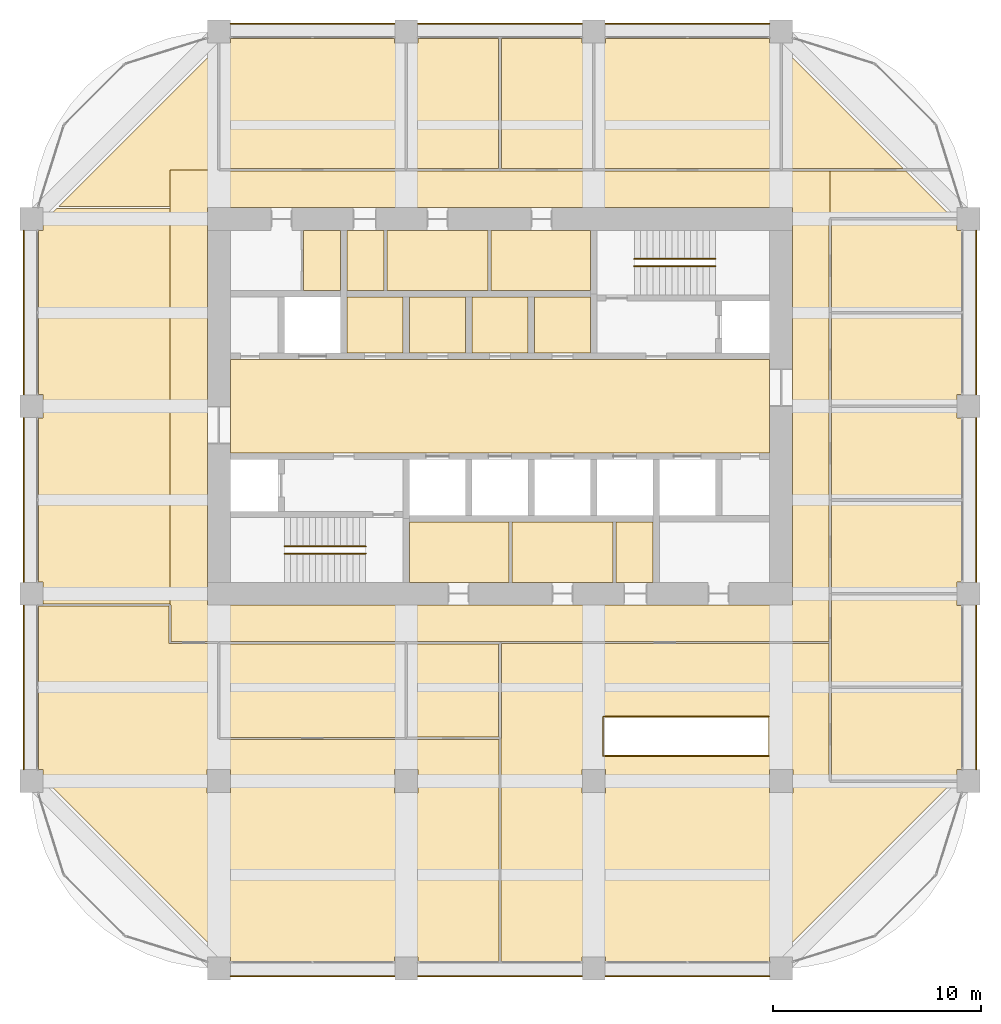
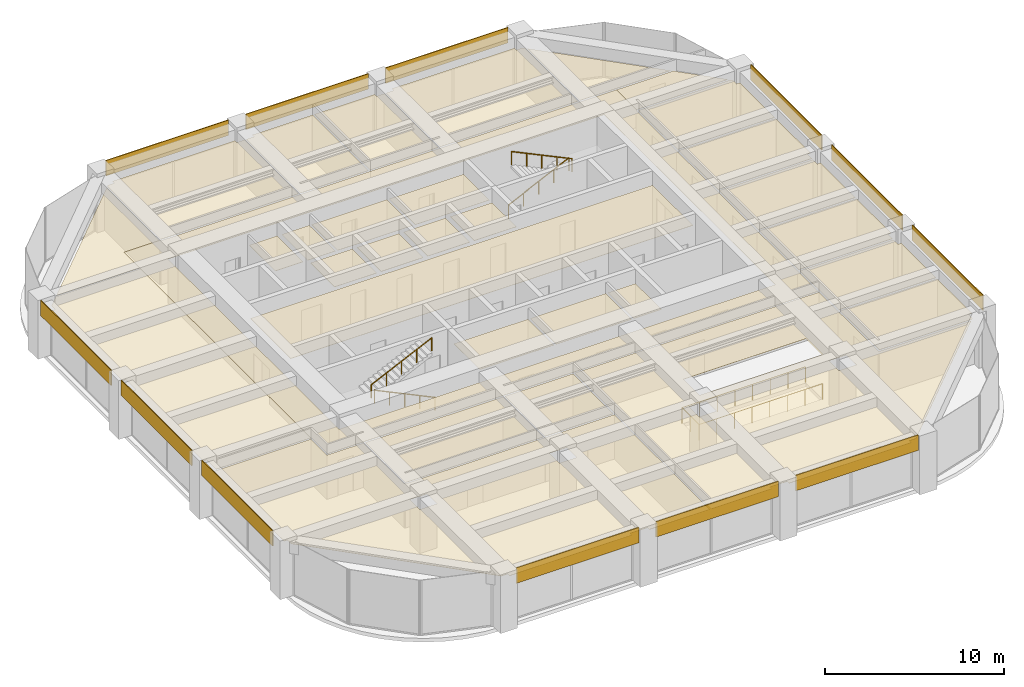
# One storey, part 44 of 44: 43 coverings, 5 railings.
"""IFC4 building model written with IfcOpenShell, lengths in metres."""

from ifc_helpers import new_model, si_unit, direction, frame, frame_2d, origin, origin_2d, place, context, subcontext, project, spatial, polyline, rectangle, circle, outline, extrude, material, layer, layer_set, type_object, element, save


model = new_model("IFC4")

# Units and contexts
model_context = context("Model", 3, precision=1e-05, world=origin(), true_north=direction((0.0, 1.0)))
body_context = subcontext(model_context, "Body", "Model", "MODEL_VIEW")
ifc_project = project(units=[si_unit("LENGTHUNIT", "METRE"), si_unit("AREAUNIT", "SQUARE_METRE"), si_unit("VOLUMEUNIT", "CUBIC_METRE"), si_unit("PLANEANGLEUNIT", "RADIAN"), si_unit("MASSUNIT", "GRAM", prefix="KILO")], contexts=[model_context])

# Site, building, storey
site_placement = place(None, origin())
site = spatial("IfcSite", under=ifc_project, at=site_placement, CompositionType="ELEMENT")
building_placement = place(site_placement, origin())
building = spatial("IfcBuilding", under=site, at=building_placement, Name="Zorevar Civic Tower", CompositionType="ELEMENT")
storey_placement = place(building_placement, frame((0.0, 0.0, 255.39990234375)))
storey = spatial("IfcBuildingStorey", under=building, at=storey_placement, Name="L62", CompositionType="ELEMENT", Elevation=255.39990234375)

# Railings
ifc_material_1 = material(Name="Laminated glass balustrade with black steel handrail", Category="steel")
railing_type_1 = type_object("IfcRailingType", Name="Balustrade BL1 1100", PredefinedType="BALUSTRADE", material=ifc_material_1)
railing_1_placement = place(storey_placement, frame((44.39990234375, 10.199951171875, 0.0)))
element("IfcRailing", 1, at=railing_1_placement, inside=storey, type_object=railing_type_1, Name="Balustrade BL1 stair void L62", PredefinedType="BALUSTRADE", context=body_context, shape_type="SweptSolid", body=[
    extrude(circle(Radius=0.02392578125, at=origin_2d()), frame((0.0, 0.0, 1.076171875), z_axis=(-1.0, 0.0, 0.0), x_axis=(0.0, -1.0, 0.0)), (0.0, 0.0, 1.0), 7.949951171875),
    extrude(circle(Radius=0.02392578125, at=origin_2d()), frame((-7.949951171875, 0.0, 1.076171875), z_axis=(0.0, 1.0, 0.0), x_axis=(-1.0, 0.0, 0.0)), (0.0, 0.0, 1.0), 1.900146484375),
    extrude(circle(Radius=0.02392578125, at=origin_2d()), frame((-7.949951171875, 1.900146484375, 1.076171875), z_axis=(1.0, 0.0, 0.0), x_axis=(0.0, 1.0, 0.0)), (0.0, 0.0, 1.0), 7.949951171875),
    extrude(circle(Radius=0.02099609375, at=origin_2d()), origin(), (0.0, 0.0, 1.0), 1.052001953125),
    extrude(circle(Radius=0.02099609375, at=origin_2d()), frame((-1.1357421875, 0.0, 0.0)), (0.0, 0.0, 1.0), 1.052001953125),
    extrude(circle(Radius=0.02099609375, at=origin_2d()), frame((-2.271484375, 0.0, 0.0)), (0.0, 0.0, 1.0), 1.052001953125),
    extrude(circle(Radius=0.02099609375, at=origin_2d()), frame((-3.4072265625, 0.0, 0.0)), (0.0, 0.0, 1.0), 1.052001953125),
    extrude(circle(Radius=0.02099609375, at=origin_2d()), frame((-4.542724609375, 0.0, 0.0)), (0.0, 0.0, 1.0), 1.052001953125),
    extrude(circle(Radius=0.02099609375, at=origin_2d()), frame((-5.678466796875, 0.0, 0.0)), (0.0, 0.0, 1.0), 1.052001953125),
    extrude(circle(Radius=0.02099609375, at=origin_2d()), frame((-6.814208984375, 0.0, 0.0)), (0.0, 0.0, 1.0), 1.052001953125),
    extrude(circle(Radius=0.02099609375, at=origin_2d()), frame((-7.949951171875, 0.0, 0.0)), (0.0, 0.0, 1.0), 1.052001953125),
    extrude(circle(Radius=0.02099609375, at=origin_2d()), frame((-7.949951171875, 0.9501953125, 0.0)), (0.0, 0.0, 1.0), 1.052001953125),
    extrude(circle(Radius=0.02099609375, at=origin_2d()), frame((-7.949951171875, 1.900146484375, 0.0)), (0.0, 0.0, 1.0), 1.052001953125),
    extrude(circle(Radius=0.02099609375, at=origin_2d()), frame((-6.814208984375, 1.900146484375, 0.0)), (0.0, 0.0, 1.0), 1.052001953125),
    extrude(circle(Radius=0.02099609375, at=origin_2d()), frame((-5.678466796875, 1.900146484375, 0.0)), (0.0, 0.0, 1.0), 1.052001953125),
    extrude(circle(Radius=0.02099609375, at=origin_2d()), frame((-4.542724609375, 1.900146484375, 0.0)), (0.0, 0.0, 1.0), 1.052001953125),
    extrude(circle(Radius=0.02099609375, at=origin_2d()), frame((-3.4072265625, 1.900146484375, 0.0)), (0.0, 0.0, 1.0), 1.052001953125),
    extrude(circle(Radius=0.02099609375, at=origin_2d()), frame((-2.271484375, 1.900146484375, 0.0)), (0.0, 0.0, 1.0), 1.052001953125),
    extrude(circle(Radius=0.02099609375, at=origin_2d()), frame((-1.1357421875, 1.900146484375, 0.0)), (0.0, 0.0, 1.0), 1.052001953125),
    extrude(circle(Radius=0.02099609375, at=origin_2d()), frame((0.0, 1.900146484375, 0.0)), (0.0, 0.0, 1.0), 1.052001953125),
])
ifc_material_2 = material(Name="Black steel handrail", Category="steel")
railing_type_2 = type_object("IfcRailingType", Name="Handrail HR1 900", PredefinedType="HANDRAIL", material=ifc_material_2)
railing_2_placement = place(storey_placement, frame((25.050048828125, 19.925048828125, 0.14306640625)))
element("IfcRailing", 2, at=railing_2_placement, inside=storey, type_object=railing_type_2, Name="Handrail HR1 ST1 L62", PredefinedType="HANDRAIL", context=body_context, shape_type="SweptSolid", body=[
    extrude(circle(Radius=0.02392578125, at=origin_2d()), frame((0.0, 0.0, 0.8759765625), z_axis=(-0.902885590262, 0.0, 0.429880926418), x_axis=(0.0, -1.0, 0.0)), (0.0, 0.0, 1.0), 4.319580078125),
    extrude(circle(Radius=0.02099609375, at=origin_2d()), origin(), (0.0, 0.0, 1.0), 0.851806640625),
    extrude(circle(Radius=0.02099609375, at=origin_2d()), frame((-0.97509765625, 0.0, 0.46435546875)), (0.0, 0.0, 1.0), 0.851806640625),
    extrude(circle(Radius=0.02099609375, at=origin_2d()), frame((-1.9501953125, 0.0, 0.928466796875)), (0.0, 0.0, 1.0), 0.851806640625),
    extrude(circle(Radius=0.02099609375, at=origin_2d()), frame((-2.925048828125, 0.0, 1.392578125)), (0.0, 0.0, 1.0), 0.851806640625),
    extrude(circle(Radius=0.02099609375, at=origin_2d()), frame((-3.900146484375, 0.0, 1.85693359375)), (0.0, 0.0, 1.0), 0.851806640625),
])
for number, where, name in (
    (3, (21.14990234375, 20.27490234375, 2.14306640625), "Handrail HR1 ST1 L62"),
    (4, (37.949951171875, 34.074951171875, 0.14306640625), "Handrail HR1 ST2 L62"),
):
    element("IfcRailing", number, at=place(storey_placement, frame(where)), inside=storey, type_object=railing_type_2, Name=name, PredefinedType="HANDRAIL", context=body_context, shape_type="SweptSolid", body=[
        extrude(circle(Radius=0.02392578125, at=origin_2d()), frame((0.0, 0.0, 0.8759765625), z_axis=(0.902885590262, 0.0, 0.429880926418), x_axis=(0.0, 1.0, 0.0)), (0.0, 0.0, 1.0), 4.319580078125),
        extrude(circle(Radius=0.02099609375, at=origin_2d()), origin(), (0.0, 0.0, 1.0), 0.851806640625),
        extrude(circle(Radius=0.02099609375, at=origin_2d()), frame((0.97509765625, 0.0, 0.46435546875)), (0.0, 0.0, 1.0), 0.851806640625),
        extrude(circle(Radius=0.02099609375, at=origin_2d()), frame((1.9501953125, 0.0, 0.928466796875)), (0.0, 0.0, 1.0), 0.851806640625),
        extrude(circle(Radius=0.02099609375, at=origin_2d()), frame((2.925048828125, 0.0, 1.392578125)), (0.0, 0.0, 1.0), 0.851806640625),
        extrude(circle(Radius=0.02099609375, at=origin_2d()), frame((3.900146484375, 0.0, 1.85693359375)), (0.0, 0.0, 1.0), 0.851806640625),
    ])
railing_3_placement = place(storey_placement, frame((41.85009765625, 33.72509765625, 2.14306640625)))
element("IfcRailing", 5, at=railing_3_placement, inside=storey, type_object=railing_type_2, Name="Handrail HR1 ST2 L62", PredefinedType="HANDRAIL", context=body_context, shape_type="SweptSolid", body=[
    extrude(circle(Radius=0.02392578125, at=origin_2d()), frame((0.0, 0.0, 0.8759765625), z_axis=(-0.902885590262, 0.0, 0.429880926418), x_axis=(0.0, -1.0, 0.0)), (0.0, 0.0, 1.0), 4.319580078125),
    extrude(circle(Radius=0.02099609375, at=origin_2d()), origin(), (0.0, 0.0, 1.0), 0.851806640625),
    extrude(circle(Radius=0.02099609375, at=origin_2d()), frame((-0.97509765625, 0.0, 0.46435546875)), (0.0, 0.0, 1.0), 0.851806640625),
    extrude(circle(Radius=0.02099609375, at=origin_2d()), frame((-1.9501953125, 0.0, 0.928466796875)), (0.0, 0.0, 1.0), 0.851806640625),
    extrude(circle(Radius=0.02099609375, at=origin_2d()), frame((-2.925048828125, 0.0, 1.392578125)), (0.0, 0.0, 1.0), 0.851806640625),
    extrude(circle(Radius=0.02099609375, at=origin_2d()), frame((-3.900146484375, 0.0, 1.85693359375)), (0.0, 0.0, 1.0), 0.851806640625),
])

# Coverings
ifc_material_3 = material(Name="Moisture-resistant gypsum board")
ifc_layer_1 = layer(ifc_material_3, 0.012451171875)
ifc_layer_set_1 = layer_set([ifc_layer_1], Name="Moisture-resistant ceiling SC3")
covering_type_1 = type_object("IfcCoveringType", Name="Moisture-resistant ceiling SC3", PredefinedType="CEILING", material=ifc_layer_set_1)
covering_1_placement = place(storey_placement, frame((0.0, 0.0, 3.0)))
element("IfcCovering", 6, at=covering_1_placement, inside=storey, type_object=covering_type_1, Name="Ceiling L62-05", PredefinedType="CEILING", context=body_context, shape_type="SweptSolid", body=[
    extrude(outline(polyline([(31.925048828125, 18.550048828125), (31.925048828125, 21.449951171875), (27.14990234375, 21.449951171875), (27.14990234375, 18.550048828125), (31.925048828125, 18.550048828125)])), origin(), (0.0, 0.0, 1.0), 0.0126953125),
])
covering_2_placement = place(storey_placement, frame((0.0, 0.0, 3.0)))
element("IfcCovering", 7, at=covering_2_placement, inside=storey, type_object=covering_type_1, Name="Ceiling L62-06", PredefinedType="CEILING", context=body_context, shape_type="SweptSolid", body=[
    extrude(outline(polyline([(36.925048828125, 18.550048828125), (36.925048828125, 21.449951171875), (32.074951171875, 21.449951171875), (32.074951171875, 18.550048828125), (36.925048828125, 18.550048828125)])), origin(), (0.0, 0.0, 1.0), 0.0126953125),
])
covering_3_placement = place(storey_placement, frame((0.0, 0.0, 3.0)))
element("IfcCovering", 8, at=covering_3_placement, inside=storey, type_object=covering_type_1, Name="Ceiling L62-07", PredefinedType="CEILING", context=body_context, shape_type="SweptSolid", body=[
    extrude(outline(polyline([(38.85009765625, 18.550048828125), (38.85009765625, 21.449951171875), (37.074951171875, 21.449951171875), (37.074951171875, 18.550048828125), (38.85009765625, 18.550048828125)])), origin(), (0.0, 0.0, 1.0), 0.0126953125),
])
covering_4_placement = place(storey_placement, frame((0.0, 0.0, 3.0)))
element("IfcCovering", 9, at=covering_4_placement, inside=storey, type_object=covering_type_1, Name="Ceiling L62-08", PredefinedType="CEILING", context=body_context, shape_type="SweptSolid", body=[
    extrude(outline(polyline([(35.85009765625, 32.550048828125), (35.85009765625, 35.449951171875), (31.074951171875, 35.449951171875), (31.074951171875, 32.550048828125), (35.85009765625, 32.550048828125)])), origin(), (0.0, 0.0, 1.0), 0.0126953125),
])
covering_5_placement = place(storey_placement, frame((0.0, 0.0, 3.0)))
element("IfcCovering", 10, at=covering_5_placement, inside=storey, type_object=covering_type_1, Name="Ceiling L62-09", PredefinedType="CEILING", context=body_context, shape_type="SweptSolid", body=[
    extrude(outline(polyline([(30.925048828125, 32.550048828125), (30.925048828125, 35.449951171875), (26.074951171875, 35.449951171875), (26.074951171875, 32.550048828125), (30.925048828125, 32.550048828125)])), origin(), (0.0, 0.0, 1.0), 0.0126953125),
])
covering_6_placement = place(storey_placement, frame((0.0, 0.0, 3.0)))
element("IfcCovering", 11, at=covering_6_placement, inside=storey, type_object=covering_type_1, Name="Ceiling L62-10", PredefinedType="CEILING", context=body_context, shape_type="SweptSolid", body=[
    extrude(outline(polyline([(25.925048828125, 32.550048828125), (25.925048828125, 35.449951171875), (24.14990234375, 35.449951171875), (24.14990234375, 32.550048828125), (25.925048828125, 32.550048828125)])), origin(), (0.0, 0.0, 1.0), 0.0126953125),
])
ifc_material_4 = material(Name="Black anodised aluminium spandrel panel", Category="aluminium")
ifc_layer_2 = layer(ifc_material_4, 0.050048828125)
ifc_layer_set_2 = layer_set([ifc_layer_2], Name="Spandrel cladding SP1")
covering_type_2 = type_object("IfcCoveringType", Name="Spandrel cladding SP1", PredefinedType="CLADDING", material=ifc_layer_set_2)
for number, where, z_axis, x_axis, name in (
    (12, (18.550048828125, -0.375, 2.9501953125), (0.0, 0.0, 1.0), (1.0, 0.0, 0.0), "Spandrel cladding L63"),
    (13, (27.550048828125, -0.375, 2.9501953125), (0.0, 0.0, 1.0), (1.0, 0.0, 0.0), "Spandrel cladding L63"),
    (14, (36.550048828125, -0.375, 2.9501953125), (0.0, 0.0, 1.0), (1.0, 0.0, 0.0), "Spandrel cladding L63"),
    (15, (18.550048828125, 45.375, 2.9501953125), (0.0, 0.0, 1.0), (1.0, 0.0, 0.0), "Spandrel cladding L63"),
    (16, (27.550048828125, 45.375, 2.9501953125), (0.0, 0.0, 1.0), (1.0, 0.0, 0.0), "Spandrel cladding L63"),
    (17, (36.550048828125, 45.375, 2.9501953125), (0.0, 0.0, 1.0), (1.0, 0.0, 0.0), "Spandrel cladding L63"),
    (18, (8.625, 9.550048828125, 2.9501953125), (0.0, 0.0, 1.0), (0.0, 1.0, 0.0), "Spandrel cladding L63"),
    (19, (8.625, 18.550048828125, 2.9501953125), (0.0, 0.0, 1.0), (0.0, 1.0, 0.0), "Spandrel cladding L63"),
    (20, (8.625, 27.550048828125, 2.9501953125), (0.0, 0.0, 1.0), (0.0, 1.0, 0.0), "Spandrel cladding L63"),
    (21, (54.375, 9.550048828125, 2.9501953125), (0.0, 0.0, 1.0), (0.0, 1.0, 0.0), "Spandrel cladding L63"),
    (22, (54.375, 18.550048828125, 2.9501953125), (0.0, 0.0, 1.0), (0.0, 1.0, 0.0), "Spandrel cladding L63"),
    (23, (54.375, 27.550048828125, 2.9501953125), (0.0, 0.0, 1.0), (0.0, 1.0, 0.0), "Spandrel cladding L63"),
):
    element("IfcCovering", number, at=place(storey_placement, frame(where, z_axis=z_axis, x_axis=x_axis)), inside=storey, type_object=covering_type_2, Name=name, PredefinedType="CLADDING", context=body_context, shape_type="SweptSolid", body=[
        extrude(rectangle(XDim=7.89990234375, YDim=0.050048828125, at=frame_2d((3.949951171875, 0.0))), origin(), (0.0, 0.0, 1.0), 1.0498046875),
    ])
ifc_material_5 = material(Name="Mineral fibre tiles on a concealed grid")
ifc_layer_3 = layer(ifc_material_5, 0.02001953125)
ifc_layer_set_3 = layer_set([ifc_layer_3], Name="Suspended ceiling SC1")
covering_type_3 = type_object("IfcCoveringType", Name="Suspended ceiling SC1", PredefinedType="CEILING", material=ifc_layer_set_3)
covering_7_placement = place(storey_placement, frame((0.0, 0.0, 3.0)))
element("IfcCovering", 24, at=covering_7_placement, inside=storey, type_object=covering_type_3, Name="Ceiling L62-12", PredefinedType="CEILING", context=body_context, shape_type="SweptSolid", body=[
    extrude(outline(polyline([(23.85009765625, 32.550048828125), (23.85009765625, 35.449951171875), (22.06005859375, 35.449951171875), (22.06005859375, 32.550048828125), (23.85009765625, 32.550048828125)])), origin(), (0.0, 0.0, 1.0), 0.02001953125),
])
covering_8_placement = place(storey_placement, frame((0.0, 0.0, 3.0)))
element("IfcCovering", 25, at=covering_8_placement, inside=storey, type_object=covering_type_3, Name="Ceiling L62-16", PredefinedType="CEILING", context=body_context, shape_type="SweptSolid", body=[
    extrude(outline(polyline([(44.449951171875, 24.75), (44.449951171875, 29.25), (18.550048828125, 29.25), (18.550048828125, 24.75), (44.449951171875, 24.75)])), origin(), (0.0, 0.0, 1.0), 0.02001953125),
])
covering_9_placement = place(storey_placement, frame((0.0, 0.0, 3.0)))
element("IfcCovering", 26, at=covering_9_placement, inside=storey, type_object=covering_type_3, Name="Ceiling L62-17", PredefinedType="CEILING", context=body_context, shape_type="SweptSolid", body=[
    extrude(outline(polyline([(35.85009765625, 29.550048828125), (35.85009765625, 32.25), (33.14990234375, 32.25), (33.14990234375, 29.550048828125), (35.85009765625, 29.550048828125)])), origin(), (0.0, 0.0, 1.0), 0.02001953125),
])
covering_10_placement = place(storey_placement, frame((0.0, 0.0, 3.0)))
element("IfcCovering", 27, at=covering_10_placement, inside=storey, type_object=covering_type_3, Name="Ceiling L62-18", PredefinedType="CEILING", context=body_context, shape_type="SweptSolid", body=[
    extrude(outline(polyline([(32.85009765625, 29.550048828125), (32.85009765625, 32.25), (30.14990234375, 32.25), (30.14990234375, 29.550048828125), (32.85009765625, 29.550048828125)])), origin(), (0.0, 0.0, 1.0), 0.02001953125),
])
covering_11_placement = place(storey_placement, frame((0.0, 0.0, 3.0)))
element("IfcCovering", 28, at=covering_11_placement, inside=storey, type_object=covering_type_3, Name="Ceiling L62-19", PredefinedType="CEILING", context=body_context, shape_type="SweptSolid", body=[
    extrude(outline(polyline([(29.85009765625, 29.550048828125), (29.85009765625, 32.25), (27.14990234375, 32.25), (27.14990234375, 29.550048828125), (29.85009765625, 29.550048828125)])), origin(), (0.0, 0.0, 1.0), 0.02001953125),
])
covering_12_placement = place(storey_placement, frame((0.0, 0.0, 3.0)))
element("IfcCovering", 29, at=covering_12_placement, inside=storey, type_object=covering_type_3, Name="Ceiling L62-20", PredefinedType="CEILING", context=body_context, shape_type="SweptSolid", body=[
    extrude(outline(polyline([(26.85009765625, 29.550048828125), (26.85009765625, 32.25), (24.14990234375, 32.25), (24.14990234375, 29.550048828125), (26.85009765625, 29.550048828125)])), origin(), (0.0, 0.0, 1.0), 0.02001953125),
])
covering_13_placement = place(storey_placement, frame((0.0, 0.0, 3.0)))
element("IfcCovering", 30, at=covering_13_placement, inside=storey, type_object=covering_type_3, Name="Ceiling L62-21", PredefinedType="CEILING", context=body_context, shape_type="SweptSolid", body=[
    extrude(outline(polyline([(18.56005859375, 44.64990234375), (26.43994140625, 44.64990234375), (26.43994140625, 44.43994140625), (26.93994140625, 44.43994140625), (26.93994140625, 38.409912109375), (18.06005859375, 38.409912109375), (18.06005859375, 44.352783203125), (18.147216796875, 44.43994140625), (18.56005859375, 44.43994140625), (18.56005859375, 44.64990234375)])), origin(), (0.0, 0.0, 1.0), 0.02001953125),
])
covering_14_placement = place(storey_placement, frame((0.0, 0.0, 3.0)))
element("IfcCovering", 31, at=covering_14_placement, inside=storey, type_object=covering_type_3, Name="Ceiling L62-22", PredefinedType="CEILING", context=body_context, shape_type="SweptSolid", body=[
    extrude(outline(polyline([(27.06005859375, 38.409912109375), (27.06005859375, 44.43994140625), (27.56005859375, 44.43994140625), (27.56005859375, 44.64990234375), (31.43994140625, 44.64990234375), (31.43994140625, 38.409912109375), (27.06005859375, 38.409912109375)])), origin(), (0.0, 0.0, 1.0), 0.02001953125),
])
covering_15_placement = place(storey_placement, frame((0.0, 0.0, 3.0)))
element("IfcCovering", 32, at=covering_15_placement, inside=storey, type_object=covering_type_3, Name="Ceiling L62-23", PredefinedType="CEILING", context=body_context, shape_type="SweptSolid", body=[
    extrude(outline(polyline([(31.56005859375, 38.409912109375), (31.56005859375, 44.64990234375), (35.43994140625, 44.64990234375), (35.43994140625, 44.43994140625), (35.93994140625, 44.43994140625), (35.93994140625, 38.409912109375), (31.56005859375, 38.409912109375)])), origin(), (0.0, 0.0, 1.0), 0.02001953125),
])
covering_16_placement = place(storey_placement, frame((0.0, 0.0, 3.0)))
element("IfcCovering", 33, at=covering_16_placement, inside=storey, type_object=covering_type_3, Name="Ceiling L62-24", PredefinedType="CEILING", context=body_context, shape_type="SweptSolid", body=[
    extrude(outline(polyline([(36.56005859375, 44.64990234375), (44.43994140625, 44.64990234375), (44.43994140625, 44.43994140625), (44.852783203125, 44.43994140625), (44.93994140625, 44.352783203125), (44.93994140625, 38.409912109375), (36.06005859375, 38.409912109375), (36.06005859375, 44.43994140625), (36.56005859375, 44.43994140625), (36.56005859375, 44.64990234375)])), origin(), (0.0, 0.0, 1.0), 0.02001953125),
])
covering_17_placement = place(storey_placement, frame((0.0, 0.0, 3.0)))
element("IfcCovering", 34, at=covering_17_placement, inside=storey, type_object=covering_type_3, Name="Ceiling L62-25", PredefinedType="CEILING", context=body_context, shape_type="SweptSolid", body=[
    extrude(outline(polyline([(53.64990234375, 13.43994140625), (53.64990234375, 9.56005859375), (53.43994140625, 9.56005859375), (53.43994140625, 9.147216796875), (53.352783203125, 9.06005859375), (47.409912109375, 9.06005859375), (47.409912109375, 13.43994140625), (53.64990234375, 13.43994140625)])), origin(), (0.0, 0.0, 1.0), 0.02001953125),
])
covering_18_placement = place(storey_placement, frame((0.0, 0.0, 3.0)))
element("IfcCovering", 35, at=covering_18_placement, inside=storey, type_object=covering_type_3, Name="Ceiling L62-26", PredefinedType="CEILING", context=body_context, shape_type="SweptSolid", body=[
    extrude(outline(polyline([(47.409912109375, 17.93994140625), (53.43994140625, 17.93994140625), (53.43994140625, 17.43994140625), (53.64990234375, 17.43994140625), (53.64990234375, 13.56005859375), (47.409912109375, 13.56005859375), (47.409912109375, 17.93994140625)])), origin(), (0.0, 0.0, 1.0), 0.02001953125),
])
covering_19_placement = place(storey_placement, frame((0.0, 0.0, 3.0)))
element("IfcCovering", 36, at=covering_19_placement, inside=storey, type_object=covering_type_3, Name="Ceiling L62-27", PredefinedType="CEILING", context=body_context, shape_type="SweptSolid", body=[
    extrude(outline(polyline([(47.409912109375, 22.43994140625), (53.64990234375, 22.43994140625), (53.64990234375, 18.56005859375), (53.43994140625, 18.56005859375), (53.43994140625, 18.06005859375), (47.409912109375, 18.06005859375), (47.409912109375, 22.43994140625)])), origin(), (0.0, 0.0, 1.0), 0.02001953125),
])
covering_20_placement = place(storey_placement, frame((0.0, 0.0, 3.0)))
element("IfcCovering", 37, at=covering_20_placement, inside=storey, type_object=covering_type_3, Name="Ceiling L62-28", PredefinedType="CEILING", context=body_context, shape_type="SweptSolid", body=[
    extrude(outline(polyline([(47.409912109375, 26.93994140625), (53.43994140625, 26.93994140625), (53.43994140625, 26.43994140625), (53.64990234375, 26.43994140625), (53.64990234375, 22.56005859375), (47.409912109375, 22.56005859375), (47.409912109375, 26.93994140625)])), origin(), (0.0, 0.0, 1.0), 0.02001953125),
])
covering_21_placement = place(storey_placement, frame((0.0, 0.0, 3.0)))
element("IfcCovering", 38, at=covering_21_placement, inside=storey, type_object=covering_type_3, Name="Ceiling L62-29", PredefinedType="CEILING", context=body_context, shape_type="SweptSolid", body=[
    extrude(outline(polyline([(47.409912109375, 31.43994140625), (53.64990234375, 31.43994140625), (53.64990234375, 27.56005859375), (53.43994140625, 27.56005859375), (53.43994140625, 27.06005859375), (47.409912109375, 27.06005859375), (47.409912109375, 31.43994140625)])), origin(), (0.0, 0.0, 1.0), 0.02001953125),
])
covering_22_placement = place(storey_placement, frame((0.0, 0.0, 3.0)))
element("IfcCovering", 39, at=covering_22_placement, inside=storey, type_object=covering_type_3, Name="Ceiling L62-30", PredefinedType="CEILING", context=body_context, shape_type="SweptSolid", body=[
    extrude(outline(polyline([(53.352783203125, 35.93994140625), (53.43994140625, 35.852783203125), (53.43994140625, 35.43994140625), (53.64990234375, 35.43994140625), (53.64990234375, 31.56005859375), (47.409912109375, 31.56005859375), (47.409912109375, 35.93994140625), (53.352783203125, 35.93994140625)])), origin(), (0.0, 0.0, 1.0), 0.02001953125),
])
covering_23_placement = place(storey_placement, frame((0.0, 0.0, 3.0)))
element("IfcCovering", 40, at=covering_23_placement, inside=storey, type_object=covering_type_3, Name="Ceiling L62-31", PredefinedType="CEILING", context=body_context, shape_type="SweptSolid", body=[
    extrude(outline(polyline([(26.93994140625, 11.10009765625), (18.06005859375, 11.10009765625), (18.06005859375, 15.590087890625), (26.93994140625, 15.590087890625), (26.93994140625, 11.10009765625)])), origin(), (0.0, 0.0, 1.0), 0.02001953125),
])
covering_24_placement = place(storey_placement, frame((0.0, 0.0, 3.0)))
element("IfcCovering", 41, at=covering_24_placement, inside=storey, type_object=covering_type_3, Name="Ceiling L62-32", PredefinedType="CEILING", context=body_context, shape_type="SweptSolid", body=[
    extrude(outline(polyline([(31.43994140625, 15.590087890625), (31.43994140625, 11.110107421875), (27.06005859375, 11.110107421875), (27.06005859375, 15.590087890625), (31.43994140625, 15.590087890625)])), origin(), (0.0, 0.0, 1.0), 0.02001953125),
])
covering_25_placement = place(storey_placement, frame((0.0, 0.0, 3.0)))
element("IfcCovering", 42, at=covering_25_placement, inside=storey, type_object=covering_type_3, Name="Ceiling L62-33", PredefinedType="CEILING", context=body_context, shape_type="SweptSolid", body=[
    extrude(outline(polyline([(45.06005859375, 38.409912109375), (45.06005859375, 44.23291015625), (50.8828125, 38.409912109375), (45.06005859375, 38.409912109375)])), origin(), (0.0, 0.0, 1.0), 0.02001953125),
])
covering_26_placement = place(storey_placement, frame((0.0, 0.0, 3.0)))
element("IfcCovering", 43, at=covering_26_placement, inside=storey, type_object=covering_type_3, Name="Ceiling L62-34", PredefinedType="CEILING", context=body_context, shape_type="SweptSolid", body=[
    extrude(outline(polyline([(15.64990234375, 17.449951171875), (15.64990234375, 38.35009765625), (18.0, 38.35009765625), (18.0, 38.2900390625), (47.35009765625, 38.2900390625), (47.35009765625, 36.0), (47.2900390625, 36.0), (47.2900390625, 15.699951171875), (31.510009765625, 15.699951171875), (31.510009765625, 15.64990234375), (31.5, 15.64990234375), (31.5, 15.7099609375), (18.0, 15.7099609375), (18.0, 15.64990234375), (17.989990234375, 15.64990234375), (17.989990234375, 15.699951171875), (15.699951171875, 15.699951171875), (15.699951171875, 17.449951171875), (15.64990234375, 17.449951171875)]), holes=[polyline([(17.449951171875, 36.550048828125), (17.449951171875, 17.449951171875), (45.550048828125, 17.449951171875), (45.550048828125, 36.550048828125), (17.449951171875, 36.550048828125)])]), origin(), (0.0, 0.0, 1.0), 0.02001953125),
])
covering_27_placement = place(storey_placement, frame((0.0, 0.0, 3.0)))
element("IfcCovering", 44, at=covering_27_placement, inside=storey, type_object=covering_type_3, Name="Ceiling L62-35", PredefinedType="CEILING", context=body_context, shape_type="SweptSolid", body=[
    extrude(outline(polyline([(17.93994140625, 38.35009765625), (15.64990234375, 38.35009765625), (15.64990234375, 36.60009765625), (10.30712890625, 36.60009765625), (17.93994140625, 44.23291015625), (17.93994140625, 38.35009765625)])), origin(), (0.0, 0.0, 1.0), 0.02001953125),
])
covering_28_placement = place(storey_placement, frame((0.0, 0.0, 3.0)))
element("IfcCovering", 45, at=covering_28_placement, inside=storey, type_object=covering_type_3, Name="Ceiling L62-36", PredefinedType="CEILING", context=body_context, shape_type="SweptSolid", body=[
    extrude(outline(polyline([(47.35009765625, 36.0), (47.35107421875, 38.2890625), (51.00390625, 38.2890625), (53.23291015625, 36.06005859375), (47.35107421875, 36.06005859375), (47.35009765625, 36.0)])), origin(), (0.0, 0.0, 1.0), 0.02001953125),
])
covering_29_placement = place(storey_placement, frame((0.0, 0.0, 3.0)))
element("IfcCovering", 46, at=covering_29_placement, inside=storey, type_object=covering_type_3, Name="Ceiling L62-37", PredefinedType="CEILING", context=body_context, shape_type="SweptSolid", body=[
    extrude(outline(polyline([(9.56005859375, 9.56005859375), (9.35009765625, 9.56005859375), (9.35009765625, 17.39990234375), (15.60009765625, 17.39990234375), (15.60009765625, 15.60009765625), (17.93994140625, 15.60009765625), (17.93994140625, 11.050048828125), (18.0, 11.050048828125), (18.0, 11.0), (27.0, 11.0), (27.0, 10.989990234375), (31.449951171875, 10.989990234375), (31.449951171875, 0.35009765625), (27.56005859375, 0.35009765625), (27.56005859375, 0.56005859375), (26.43994140625, 0.56005859375), (26.43994140625, 0.35009765625), (18.56005859375, 0.35009765625), (18.56005859375, 0.56005859375), (18.147216796875, 0.56005859375), (9.56005859375, 9.147216796875), (9.56005859375, 9.56005859375)]), holes=[polyline([(18.56005859375, 8.43994140625), (18.56005859375, 9.56005859375), (17.43994140625, 9.56005859375), (17.43994140625, 8.43994140625), (18.56005859375, 8.43994140625)]), polyline([(26.43994140625, 9.56005859375), (26.43994140625, 8.43994140625), (27.56005859375, 8.43994140625), (27.56005859375, 9.56005859375), (26.43994140625, 9.56005859375)])]), origin(), (0.0, 0.0, 1.0), 0.02001953125),
])
covering_30_placement = place(storey_placement, frame((0.0, 0.0, 3.0)))
element("IfcCovering", 47, at=covering_30_placement, inside=storey, type_object=covering_type_3, Name="Ceiling L62-38", PredefinedType="CEILING", context=body_context, shape_type="SweptSolid", body=[
    extrude(outline(polyline([(44.43994140625, 0.56005859375), (44.43994140625, 0.35009765625), (36.56005859375, 0.35009765625), (36.56005859375, 0.56005859375), (35.43994140625, 0.56005859375), (35.43994140625, 0.35009765625), (31.550048828125, 0.35009765625), (31.550048828125, 11.050048828125), (31.56005859375, 11.050048828125), (31.56005859375, 15.60009765625), (47.2900390625, 15.60009765625), (47.2900390625, 9.0), (47.35009765625, 9.0), (47.35009765625, 8.93994140625), (53.23291015625, 8.93994140625), (44.852783203125, 0.56005859375), (44.43994140625, 0.56005859375)]), holes=[polyline([(44.39990234375, 12.050048828125), (36.5, 12.050048828125), (36.5, 10.25), (44.39990234375, 10.25), (44.39990234375, 12.050048828125)]), polyline([(36.56005859375, 9.56005859375), (35.43994140625, 9.56005859375), (35.43994140625, 8.43994140625), (36.56005859375, 8.43994140625), (36.56005859375, 9.56005859375)]), polyline([(44.43994140625, 8.43994140625), (45.56005859375, 8.43994140625), (45.56005859375, 9.56005859375), (44.43994140625, 9.56005859375), (44.43994140625, 8.43994140625)])]), origin(), (0.0, 0.0, 1.0), 0.02001953125),
])
covering_31_placement = place(storey_placement, frame((0.0, 0.0, 3.0)))
element("IfcCovering", 48, at=covering_31_placement, inside=storey, type_object=covering_type_3, Name="Ceiling L62-39", PredefinedType="CEILING", context=body_context, shape_type="SweptSolid", body=[
    extrude(outline(polyline([(15.64990234375, 17.5), (9.56005859375, 17.5), (9.56005859375, 18.56005859375), (9.35009765625, 18.56005859375), (9.35009765625, 26.43994140625), (9.56005859375, 26.43994140625), (9.56005859375, 27.56005859375), (9.35009765625, 27.56005859375), (9.35009765625, 35.43994140625), (9.56005859375, 35.43994140625), (9.56005859375, 35.852783203125), (10.20703125, 36.5), (15.64990234375, 36.5), (15.64990234375, 17.5)])), origin(), (0.0, 0.0, 1.0), 0.02001953125),
])

save(model, "model.ifc")
